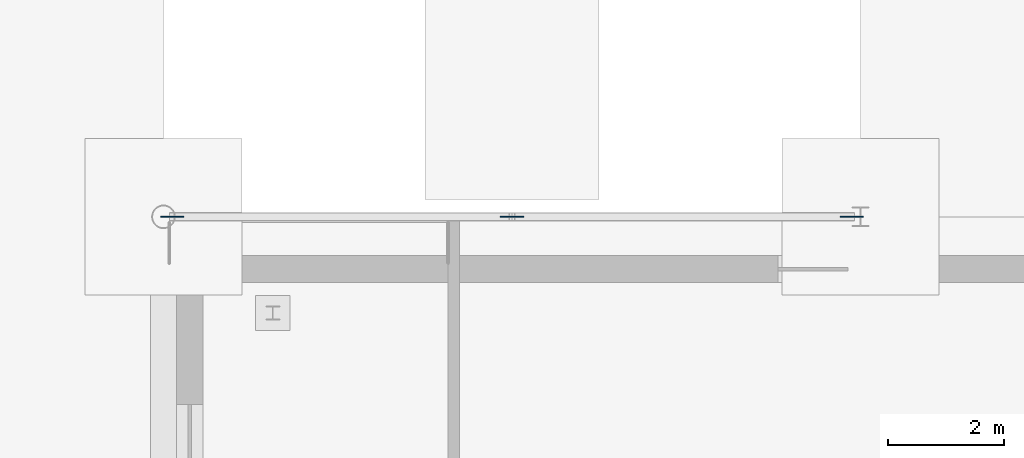
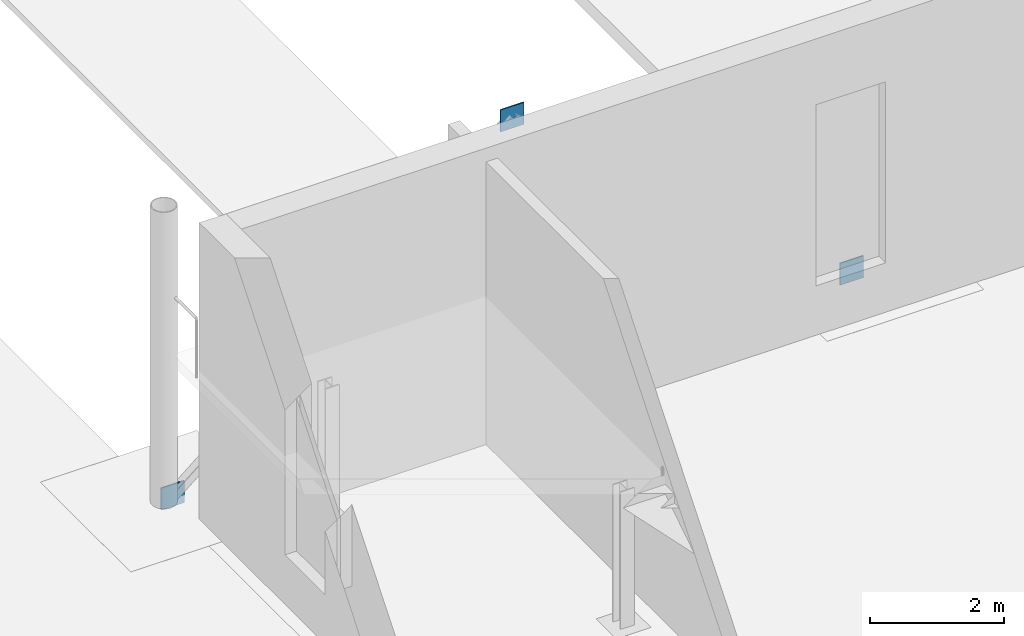
# One storey, part 101 of 132: 3 discrete accessories.
"""IFC4 building model written with IfcOpenShell, lengths in metres."""

import ifcopenshell
import ifcopenshell.guid

model = None  # the IFC model being written
_history = None  # IfcOwnerHistory: only IFC2X3 demands one
_inside = {}  # id of a spatial element -> (the spatial element, [elements in it])
_under = {}  # id of a project, library or spatial element -> (it, [spatial elements below it])
_declared = {}  # id of a project -> (the project, [libraries it declares])
_typed = {}  # id of a type object -> (the type object, [elements of that type])
_made_of = {}  # id of a material, layer set ... -> (it, [elements and type objects made of it])


def new_model(schema):
    """Start an empty IFC model of exactly this schema.

    Asked for "IFC4X3", IfcOpenShell would pick the latest addendum, in which some entities
    have other attributes; the version numbers below select the first issue.
    IFC2X3 requires an IfcOwnerHistory on every rooted entity: one is made here for all.
    """
    global model, _history
    if schema == "IFC4X3":
        model = ifcopenshell.file(schema_version=(4, 3, 0, 0))
    else:
        model = ifcopenshell.file(schema=schema)
    _inside.clear()
    _under.clear()
    _declared.clear()
    _typed.clear()
    _made_of.clear()
    _history = None
    if model.schema == "IFC2X3":
        org = make("IfcOrganization", Name="unknown")
        user = make(
            "IfcPersonAndOrganization",
            ThePerson=make("IfcPerson", FamilyName="unknown"),
            TheOrganization=org,
        )
        app = make(
            "IfcApplication",
            ApplicationDeveloper=org,
            Version="unknown",
            ApplicationFullName="unknown",
            ApplicationIdentifier="unknown",
        )
        _history = make(
            "IfcOwnerHistory",
            OwningUser=user,
            OwningApplication=app,
            ChangeAction="ADDED",
            CreationDate=0,
        )
    return model


def make(cls, **values):
    """One entity of the class cls with the attributes given. An attribute that is None is left unset."""
    return model.create_entity(
        cls, **{name: value for name, value in values.items() if value is not None}
    )


def rooted(cls, **values):
    """An entity with a GlobalId (a new one), such as an element, a storey or a relation."""
    return make(cls, GlobalId=ifcopenshell.guid.new(), OwnerHistory=_history, **values)


def si_unit(unit_type, name, prefix=None):
    """IfcSIUnit, for example si_unit("LENGTHUNIT", "METRE", prefix="MILLI")."""
    return make("IfcSIUnit", UnitType=unit_type, Prefix=prefix, Name=name)


def assignment(units):
    """IfcUnitAssignment: the units of a project."""
    return None if units is None else make("IfcUnitAssignment", Units=units)


def point(xyz):
    """IfcCartesianPoint."""
    return None if xyz is None else make("IfcCartesianPoint", Coordinates=xyz)


def direction(xyz):
    """IfcDirection."""
    return None if xyz is None else make("IfcDirection", DirectionRatios=xyz)


def frame(location, z_axis=None, x_axis=None):
    """IfcAxis2Placement3D, a coordinate frame: its origin and axes. An axis left out is left unset."""
    return make(
        "IfcAxis2Placement3D",
        Location=point(location),
        Axis=direction(z_axis),
        RefDirection=direction(x_axis),
    )


def frame_2d(location, x_axis=None):
    """IfcAxis2Placement2D, a coordinate frame in the plane: its origin and x axis."""
    return make(
        "IfcAxis2Placement2D", Location=point(location), RefDirection=direction(x_axis)
    )


def origin():
    """The frame at (0, 0, 0) with its axes left unset."""
    return frame((0.0, 0.0, 0.0))


def origin_2d():
    """The frame at (0, 0) in the plane with its x axis left unset."""
    return frame_2d((0.0, 0.0))


def place(relative_to, where):
    """IfcLocalPlacement: puts the frame where relative to a parent placement (None: the world)."""
    return make(
        "IfcLocalPlacement", PlacementRelTo=relative_to, RelativePlacement=where
    )


def context(
    kind, dimensions, precision=None, world=None, true_north=None, identifier=None
):
    """IfcGeometricRepresentationContext, for example the 3D "Model" context."""
    return make(
        "IfcGeometricRepresentationContext",
        ContextIdentifier=identifier,
        ContextType=kind,
        CoordinateSpaceDimension=dimensions,
        Precision=precision,
        WorldCoordinateSystem=world,
        TrueNorth=true_north,
    )


def subcontext(parent, identifier, kind, view, scale=None):
    """IfcGeometricRepresentationSubContext, for example "Body" below "Model"."""
    return make(
        "IfcGeometricRepresentationSubContext",
        ContextIdentifier=identifier,
        ContextType=kind,
        ParentContext=parent,
        TargetScale=scale,
        TargetView=view,
    )


def project(units=None, contexts=None):
    """IfcProject with its units and contexts."""
    return rooted(
        "IfcProject",
        Name="project",
        RepresentationContexts=contexts,
        UnitsInContext=assignment(units),
    )


def spatial(cls, under=None, at=None, **own):
    """A site, building, storey or space (cls), placed at a placement, below another one or the project."""
    s = rooted(cls, ObjectPlacement=at, **own)
    if under is not None:
        _under.setdefault(under.id(), (under, []))[1].append(s)
    return s


def profile(cls, at=None, kind="AREA", **sizes):
    """A parametric profile (cls). Its sizes go by their IFC names, for example OverallWidth=200.0."""
    return make(cls, ProfileType=kind, Position=at, **sizes)


def rectangle(**sizes):
    """IfcRectangleProfileDef."""
    return profile("IfcRectangleProfileDef", **sizes)


def extrude(swept, where, along, depth):
    """IfcExtrudedAreaSolid: the profile swept, set in the frame where, extruded along a direction by depth."""
    return make(
        "IfcExtrudedAreaSolid",
        SweptArea=swept,
        Position=where,
        ExtrudedDirection=direction(along),
        Depth=depth,
    )


def shape(context_of_items, identifier, shape_type, items):
    """IfcShapeRepresentation: the items that make up one representation, for example the "Body"."""
    return make(
        "IfcShapeRepresentation",
        ContextOfItems=context_of_items,
        RepresentationIdentifier=identifier,
        RepresentationType=shape_type,
        Items=items,
    )


def material(Name=None, Category=None):
    """IfcMaterial."""
    return make("IfcMaterial", Name=Name, Category=Category)


def material_profile(
    of_material, cross_section, Name=None, Category=None, Priority=None
):
    """IfcMaterialProfile: a cross section and its material."""
    return make(
        "IfcMaterialProfile",
        Name=Name,
        Material=of_material,
        Profile=cross_section,
        Priority=Priority,
        Category=Category,
    )


def profile_set(profiles, Name=None, composite=None):
    """IfcMaterialProfileSet."""
    return make(
        "IfcMaterialProfileSet",
        Name=Name,
        MaterialProfiles=profiles,
        CompositeProfile=composite,
    )


def made_of(thing, what):
    """Note that an element or type object is made of a material, layer set ...; save() writes the relation."""
    if what is not None:
        _made_of.setdefault(what.id(), (what, []))[1].append(thing)
    return thing


def type_object(cls, material=None, **own):
    """A type object (cls), such as IfcWallType, which elements share."""
    return made_of(rooted(cls, **own), material)


def element(
    cls,
    number,
    at=None,
    inside=None,
    cuts=None,
    type_object=None,
    material=None,
    context=None,
    identifier="Body",
    shape_type=None,
    held_by="IfcProductDefinitionShape",
    body=None,
    shapes=None,
    **own,
):
    """One element of the class cls, such as IfcWall. Its Tag is "e" and its number.

    at: its placement. inside: the storey or other place that contains it. cuts: it is an
    opening in that element (IfcRelVoidsElement). A single representation is given by context,
    identifier, shape_type and body (its items); several are given by shapes. held_by: the class
    of the entity that holds the representations. save() writes the other relations.
    """
    e = rooted(cls, Tag="e%d" % number, ObjectPlacement=at, **own)
    if body is not None:
        shapes = [shape(context, identifier, shape_type, body)]
    if shapes is not None:
        e.Representation = make(held_by, Representations=shapes)
    if inside is not None:
        _inside.setdefault(inside.id(), (inside, []))[1].append(e)
    if cuts is not None:
        rooted(
            "IfcRelVoidsElement", RelatingBuildingElement=cuts, RelatedOpeningElement=e
        )
    if type_object is not None:
        _typed.setdefault(type_object.id(), (type_object, []))[1].append(e)
    return made_of(e, material)


def aggregate(whole, parts):
    """IfcRelAggregates: a whole, such as a stair, and the parts it consists of."""
    return rooted("IfcRelAggregates", RelatingObject=whole, RelatedObjects=parts)


def save(model, path):
    """Write the relations noted so far, then the file.

    IfcRelAggregates (storeys below a building ...), IfcRelContainedInSpatialStructure (elements
    in a storey), IfcRelDefinesByType, IfcRelAssociatesMaterial and IfcRelDeclares: one each for
    every whole, place, type object, material and project.
    """
    for whole, parts in _under.values():
        aggregate(whole, parts)
    for where, things in _inside.values():
        rooted(
            "IfcRelContainedInSpatialStructure",
            RelatedElements=things,
            RelatingStructure=where,
        )
    for kind, things in _typed.values():
        rooted("IfcRelDefinesByType", RelatedObjects=things, RelatingType=kind)
    for what, things in _made_of.values():
        rooted("IfcRelAssociatesMaterial", RelatedObjects=things, RelatingMaterial=what)
    for by, libraries in _declared.values():
        rooted("IfcRelDeclares", RelatingContext=by, RelatedDefinitions=libraries)
    model.write(path)


model = new_model("IFC4")

# Units and contexts
model_context = context("Model", 3, precision=1e-05, world=origin(), true_north=direction((0.0, 1.0)))
body_context = subcontext(model_context, "Body", "Model", "MODEL_VIEW")
ifc_project = project(units=[si_unit("LENGTHUNIT", "METRE"), si_unit("AREAUNIT", "SQUARE_METRE"), si_unit("VOLUMEUNIT", "CUBIC_METRE"), si_unit("PLANEANGLEUNIT", "RADIAN"), si_unit("MASSUNIT", "GRAM", prefix="KILO")], contexts=[model_context])

# Site, building, storey
site_placement = place(None, origin())
site = spatial("IfcSite", under=ifc_project, at=site_placement, CompositionType="ELEMENT")
building_placement = place(site_placement, origin())
building = spatial("IfcBuilding", under=site, at=building_placement, Name="Ravi Spectrum Wholesale Market", CompositionType="ELEMENT")
storey_placement = place(building_placement, origin())
storey = spatial("IfcBuildingStorey", under=building, at=storey_placement, Name="L00", CompositionType="ELEMENT", Elevation=0.0)

# Discrete accessories
ifc_material = material(Name="Steel S355", Category="steel")
ifc_material_profile = material_profile(ifc_material, rectangle(XDim=0.39990234375, YDim=0.02001953125, at=origin_2d()))
ifc_profile_set = profile_set([ifc_material_profile], Name="Steel S355")
discrete_accessory_type = type_object("IfcDiscreteAccessoryType", Name="Gusset plate 400x400x20", PredefinedType="BRACKET", material=ifc_profile_set)
for number, where, z_axis, x_axis, name in (
    (1, (150.14990234375, 126.0, -0.14208984375), (0.0, 0.0, 1.0), (1.0, 0.0, 0.0), "Gusset plate"),
    (2, (156.0, 126.0, 4.699951171875), (0.0, 0.0, 1.0), (1.0, 0.0, 0.0), "Gusset plate"),
    (3, (161.85009765625, 126.0, -0.14208984375), (0.0, 0.0, 1.0), (-1.0, 0.0, 0.0), "Gusset plate"),
):
    element("IfcDiscreteAccessory", number, at=place(storey_placement, frame(where, z_axis=z_axis, x_axis=x_axis)), inside=storey, type_object=discrete_accessory_type, Name=name, PredefinedType="BRACKET", context=body_context, shape_type="SweptSolid", body=[
        extrude(rectangle(XDim=0.39990234375, YDim=0.02001953125, at=origin_2d()), origin(), (0.0, 0.0, 1.0), 0.400146484375),
    ])

save(model, "model.ifc")
